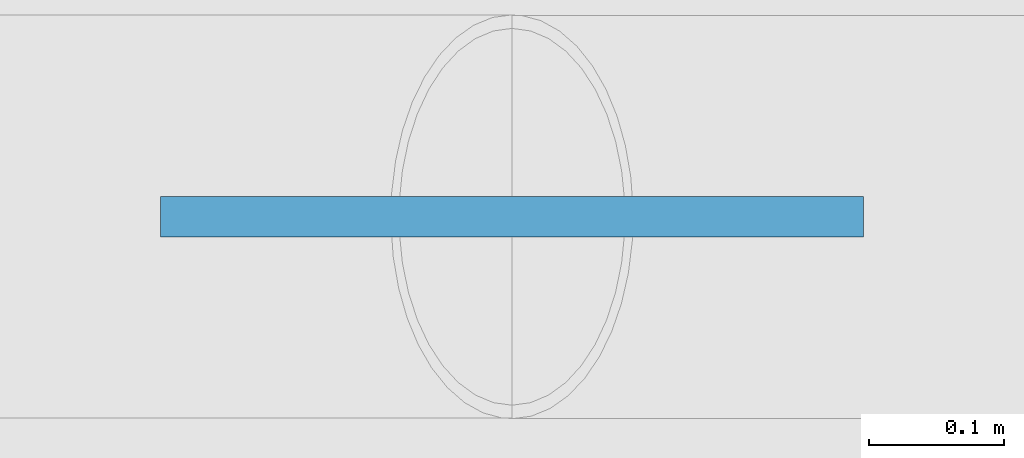
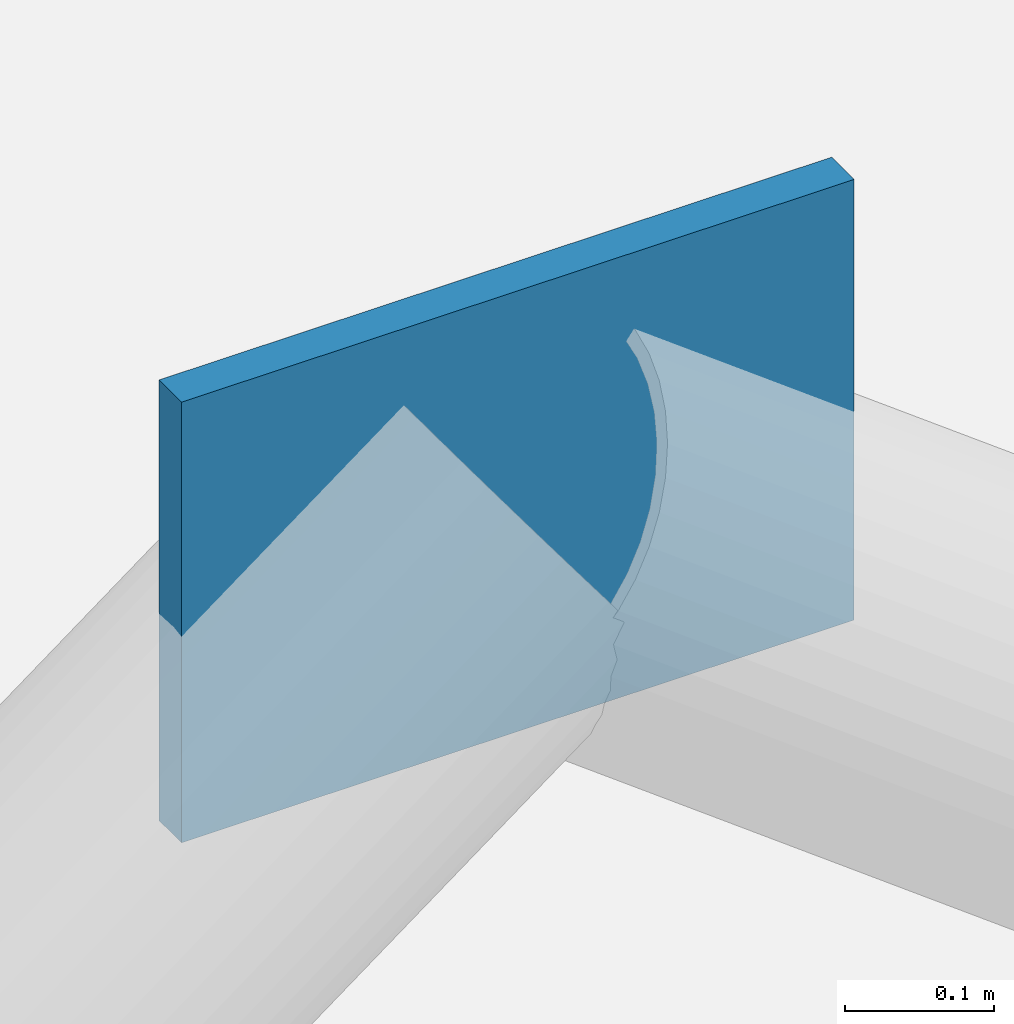
# One storey, part 46 of 96: 1 plate.
"""IFC4 building model written with IfcOpenShell, lengths in metres."""

from ifc_helpers import new_model, si_unit, derived_unit, direction, frame, origin, origin_2d, place, context, subcontext, project, spatial, rectangle, extrude, material, layer, layer_set, type_object, element, save


model = new_model("IFC4")

# Units and contexts
model_context = context("Model", 3, precision=1e-05, world=origin(), true_north=direction((0.0, 1.0)))
body_context = subcontext(model_context, "Body", "Model", "MODEL_VIEW")
ifc_project = project(units=[si_unit("LENGTHUNIT", "METRE"), si_unit("AREAUNIT", "SQUARE_METRE"), si_unit("VOLUMEUNIT", "CUBIC_METRE"), si_unit("PLANEANGLEUNIT", "RADIAN"), si_unit("MASSUNIT", "GRAM", prefix="KILO"), si_unit("THERMODYNAMICTEMPERATUREUNIT", "KELVIN"), derived_unit("THERMALTRANSMITTANCEUNIT", [(si_unit("POWERUNIT", "WATT"), 1), (si_unit("AREAUNIT", "SQUARE_METRE"), -1), (si_unit("THERMODYNAMICTEMPERATUREUNIT", "KELVIN"), -1)])], contexts=[model_context])

# Site, building, storey
site_placement = place(None, origin())
site = spatial("IfcSite", under=ifc_project, at=site_placement, CompositionType="ELEMENT")
building_placement = place(site_placement, origin())
building = spatial("IfcBuilding", under=site, at=building_placement, Name="Haiyu Intermodal Mobility Hub", CompositionType="ELEMENT")
storey_placement = place(building_placement, frame((0.0, 0.0, 9.5)))
storey = spatial("IfcBuildingStorey", under=building, at=storey_placement, Name="L02", CompositionType="ELEMENT", Elevation=9.5)

# Plate
ifc_material = material(Name="Steel Q355C", Category="steel")
ifc_layer = layer(ifc_material, 0.030029296875)
ifc_layer_set = layer_set([ifc_layer], Name="Steel Q355C")
plate_type = type_object("IfcPlateType", Name="PLT-GP05", PredefinedType="USERDEFINED", material=ifc_layer_set)
plate_placement = place(storey_placement, frame((182.0, 122.0, 2.81982421875), z_axis=(0.0, 0.0, 1.0), x_axis=(1.0, 0.0, 0.0)))
element("IfcPlate", 1, at=plate_placement, inside=storey, type_object=plate_type, Name="Chevron Brace Apex Gusset GP-B105", ObjectType="GUSSET PLATE", PredefinedType="USERDEFINED", context=body_context, shape_type="SweptSolid", body=[
    extrude(rectangle(XDim=0.52001953125, YDim=0.030029296875, at=origin_2d()), origin(), (0.0, 0.0, 1.0), 0.360107421875),
])

save(model, "model.ifc")
